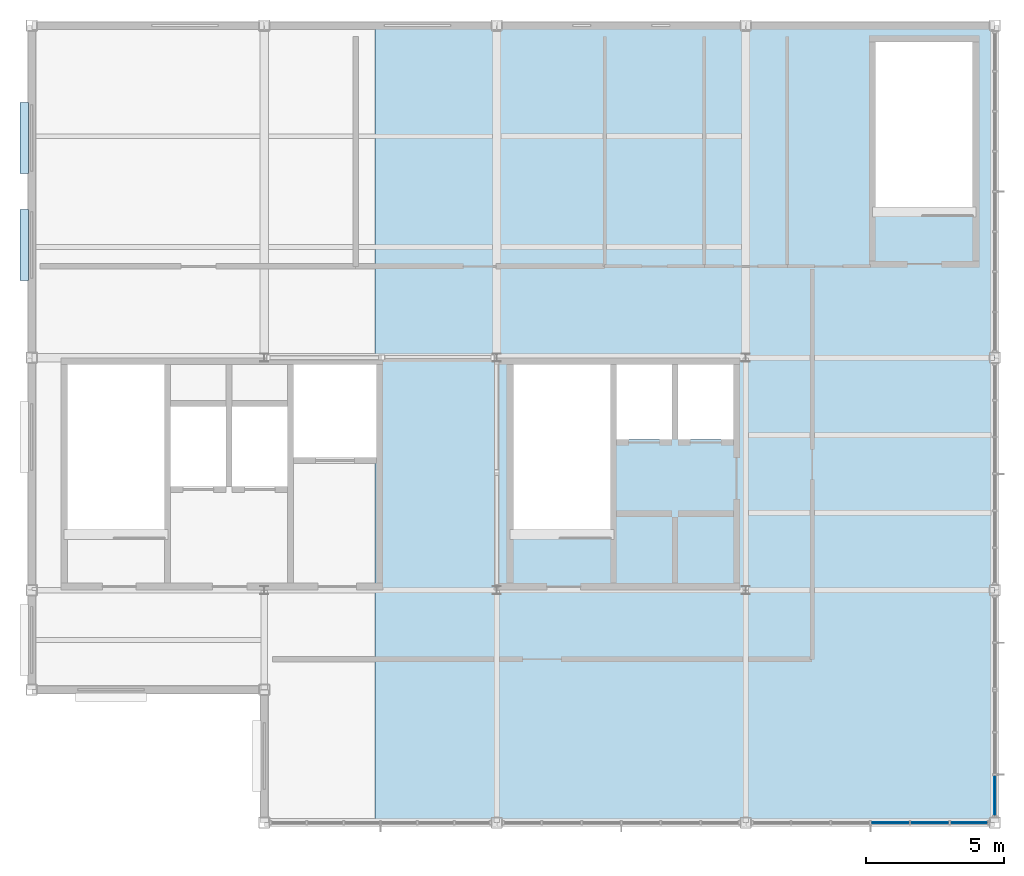
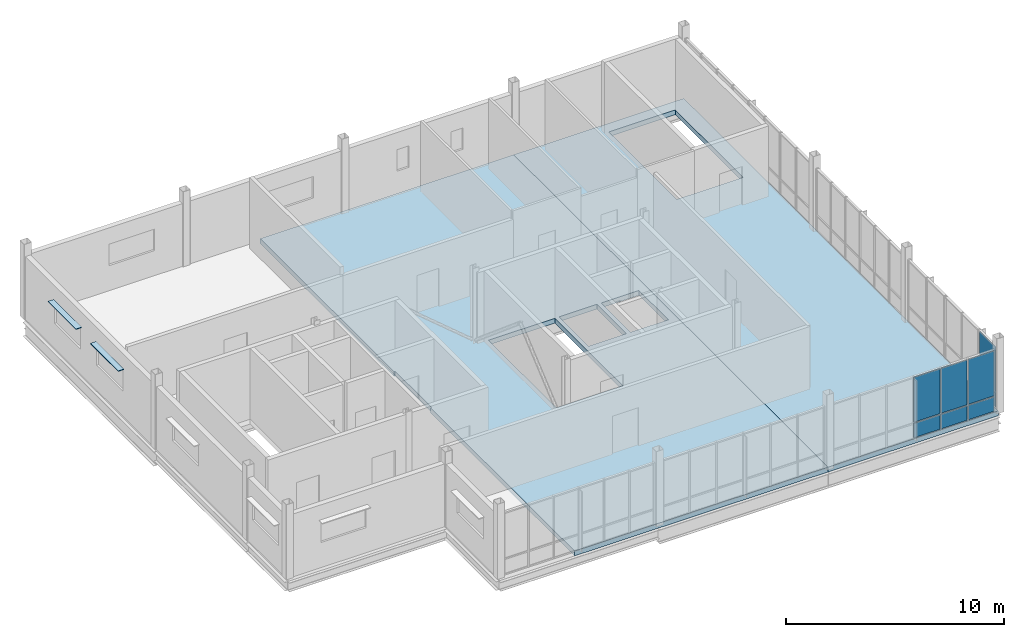
# One storey, part 10 of 15: 10 plates, 2 slabs, 2 elements without a shape of their own.
"""IFC4 building model written with IfcOpenShell, lengths in metres."""

import ifcopenshell
import ifcopenshell.guid

model = None  # the IFC model being written
_history = None  # IfcOwnerHistory: only IFC2X3 demands one
_inside = {}  # id of a spatial element -> (the spatial element, [elements in it])
_under = {}  # id of a project, library or spatial element -> (it, [spatial elements below it])
_declared = {}  # id of a project -> (the project, [libraries it declares])
_typed = {}  # id of a type object -> (the type object, [elements of that type])
_made_of = {}  # id of a material, layer set ... -> (it, [elements and type objects made of it])


def new_model(schema):
    """Start an empty IFC model of exactly this schema.

    Asked for "IFC4X3", IfcOpenShell would pick the latest addendum, in which some entities
    have other attributes; the version numbers below select the first issue.
    IFC2X3 requires an IfcOwnerHistory on every rooted entity: one is made here for all.
    """
    global model, _history
    if schema == "IFC4X3":
        model = ifcopenshell.file(schema_version=(4, 3, 0, 0))
    else:
        model = ifcopenshell.file(schema=schema)
    _inside.clear()
    _under.clear()
    _declared.clear()
    _typed.clear()
    _made_of.clear()
    _history = None
    if model.schema == "IFC2X3":
        org = make("IfcOrganization", Name="unknown")
        user = make(
            "IfcPersonAndOrganization",
            ThePerson=make("IfcPerson", FamilyName="unknown"),
            TheOrganization=org,
        )
        app = make(
            "IfcApplication",
            ApplicationDeveloper=org,
            Version="unknown",
            ApplicationFullName="unknown",
            ApplicationIdentifier="unknown",
        )
        _history = make(
            "IfcOwnerHistory",
            OwningUser=user,
            OwningApplication=app,
            ChangeAction="ADDED",
            CreationDate=0,
        )
    return model


def make(cls, **values):
    """One entity of the class cls with the attributes given. An attribute that is None is left unset."""
    return model.create_entity(
        cls, **{name: value for name, value in values.items() if value is not None}
    )


def rooted(cls, **values):
    """An entity with a GlobalId (a new one), such as an element, a storey or a relation."""
    return make(cls, GlobalId=ifcopenshell.guid.new(), OwnerHistory=_history, **values)


def si_unit(unit_type, name, prefix=None):
    """IfcSIUnit, for example si_unit("LENGTHUNIT", "METRE", prefix="MILLI")."""
    return make("IfcSIUnit", UnitType=unit_type, Prefix=prefix, Name=name)


def assignment(units):
    """IfcUnitAssignment: the units of a project."""
    return None if units is None else make("IfcUnitAssignment", Units=units)


def point(xyz):
    """IfcCartesianPoint."""
    return None if xyz is None else make("IfcCartesianPoint", Coordinates=xyz)


def direction(xyz):
    """IfcDirection."""
    return None if xyz is None else make("IfcDirection", DirectionRatios=xyz)


def frame(location, z_axis=None, x_axis=None):
    """IfcAxis2Placement3D, a coordinate frame: its origin and axes. An axis left out is left unset."""
    return make(
        "IfcAxis2Placement3D",
        Location=point(location),
        Axis=direction(z_axis),
        RefDirection=direction(x_axis),
    )


def frame_2d(location, x_axis=None):
    """IfcAxis2Placement2D, a coordinate frame in the plane: its origin and x axis."""
    return make(
        "IfcAxis2Placement2D", Location=point(location), RefDirection=direction(x_axis)
    )


def origin():
    """The frame at (0, 0, 0) with its axes left unset."""
    return frame((0.0, 0.0, 0.0))


def origin_2d():
    """The frame at (0, 0) in the plane with its x axis left unset."""
    return frame_2d((0.0, 0.0))


def place(relative_to, where):
    """IfcLocalPlacement: puts the frame where relative to a parent placement (None: the world)."""
    return make(
        "IfcLocalPlacement", PlacementRelTo=relative_to, RelativePlacement=where
    )


def context(
    kind, dimensions, precision=None, world=None, true_north=None, identifier=None
):
    """IfcGeometricRepresentationContext, for example the 3D "Model" context."""
    return make(
        "IfcGeometricRepresentationContext",
        ContextIdentifier=identifier,
        ContextType=kind,
        CoordinateSpaceDimension=dimensions,
        Precision=precision,
        WorldCoordinateSystem=world,
        TrueNorth=true_north,
    )


def subcontext(parent, identifier, kind, view, scale=None):
    """IfcGeometricRepresentationSubContext, for example "Body" below "Model"."""
    return make(
        "IfcGeometricRepresentationSubContext",
        ContextIdentifier=identifier,
        ContextType=kind,
        ParentContext=parent,
        TargetScale=scale,
        TargetView=view,
    )


def project(units=None, contexts=None):
    """IfcProject with its units and contexts."""
    return rooted(
        "IfcProject",
        Name="project",
        RepresentationContexts=contexts,
        UnitsInContext=assignment(units),
    )


def spatial(cls, under=None, at=None, **own):
    """A site, building, storey or space (cls), placed at a placement, below another one or the project."""
    s = rooted(cls, ObjectPlacement=at, **own)
    if under is not None:
        _under.setdefault(under.id(), (under, []))[1].append(s)
    return s


def polyline(points):
    """IfcPolyline through the points."""
    return make("IfcPolyline", Points=[point(p) for p in points])


def profile(cls, at=None, kind="AREA", **sizes):
    """A parametric profile (cls). Its sizes go by their IFC names, for example OverallWidth=200.0."""
    return make(cls, ProfileType=kind, Position=at, **sizes)


def rectangle(**sizes):
    """IfcRectangleProfileDef."""
    return profile("IfcRectangleProfileDef", **sizes)


def outline(outer, holes=None, kind="AREA"):
    """IfcArbitraryClosedProfileDef: a profile drawn as a closed curve; with holes, ...WithVoids."""
    if holes is None:
        return make("IfcArbitraryClosedProfileDef", ProfileType=kind, OuterCurve=outer)
    return make(
        "IfcArbitraryProfileDefWithVoids",
        ProfileType=kind,
        OuterCurve=outer,
        InnerCurves=holes,
    )


def extrude(swept, where, along, depth):
    """IfcExtrudedAreaSolid: the profile swept, set in the frame where, extruded along a direction by depth."""
    return make(
        "IfcExtrudedAreaSolid",
        SweptArea=swept,
        Position=where,
        ExtrudedDirection=direction(along),
        Depth=depth,
    )


def shape(context_of_items, identifier, shape_type, items):
    """IfcShapeRepresentation: the items that make up one representation, for example the "Body"."""
    return make(
        "IfcShapeRepresentation",
        ContextOfItems=context_of_items,
        RepresentationIdentifier=identifier,
        RepresentationType=shape_type,
        Items=items,
    )


def material(Name=None, Category=None):
    """IfcMaterial."""
    return make("IfcMaterial", Name=Name, Category=Category)


def layer(
    of_material, thickness, ventilated=None, Name=None, Category=None, Priority=None
):
    """IfcMaterialLayer: one layer of a wall or slab, of a material (None: an air gap)."""
    return make(
        "IfcMaterialLayer",
        Material=of_material,
        LayerThickness=thickness,
        IsVentilated=ventilated,
        Name=Name,
        Category=Category,
        Priority=Priority,
    )


def layer_set(layers, Name=None):
    """IfcMaterialLayerSet."""
    return make("IfcMaterialLayerSet", MaterialLayers=layers, LayerSetName=Name)


def made_of(thing, what):
    """Note that an element or type object is made of a material, layer set ...; save() writes the relation."""
    if what is not None:
        _made_of.setdefault(what.id(), (what, []))[1].append(thing)
    return thing


def type_object(cls, material=None, **own):
    """A type object (cls), such as IfcWallType, which elements share."""
    return made_of(rooted(cls, **own), material)


def element(
    cls,
    number,
    at=None,
    inside=None,
    cuts=None,
    type_object=None,
    material=None,
    context=None,
    identifier="Body",
    shape_type=None,
    held_by="IfcProductDefinitionShape",
    body=None,
    shapes=None,
    **own,
):
    """One element of the class cls, such as IfcWall. Its Tag is "e" and its number.

    at: its placement. inside: the storey or other place that contains it. cuts: it is an
    opening in that element (IfcRelVoidsElement). A single representation is given by context,
    identifier, shape_type and body (its items); several are given by shapes. held_by: the class
    of the entity that holds the representations. save() writes the other relations.
    """
    e = rooted(cls, Tag="e%d" % number, ObjectPlacement=at, **own)
    if body is not None:
        shapes = [shape(context, identifier, shape_type, body)]
    if shapes is not None:
        e.Representation = make(held_by, Representations=shapes)
    if inside is not None:
        _inside.setdefault(inside.id(), (inside, []))[1].append(e)
    if cuts is not None:
        rooted(
            "IfcRelVoidsElement", RelatingBuildingElement=cuts, RelatedOpeningElement=e
        )
    if type_object is not None:
        _typed.setdefault(type_object.id(), (type_object, []))[1].append(e)
    return made_of(e, material)


def aggregate(whole, parts):
    """IfcRelAggregates: a whole, such as a stair, and the parts it consists of."""
    return rooted("IfcRelAggregates", RelatingObject=whole, RelatedObjects=parts)


def save(model, path):
    """Write the relations noted so far, then the file.

    IfcRelAggregates (storeys below a building ...), IfcRelContainedInSpatialStructure (elements
    in a storey), IfcRelDefinesByType, IfcRelAssociatesMaterial and IfcRelDeclares: one each for
    every whole, place, type object, material and project.
    """
    for whole, parts in _under.values():
        aggregate(whole, parts)
    for where, things in _inside.values():
        rooted(
            "IfcRelContainedInSpatialStructure",
            RelatedElements=things,
            RelatingStructure=where,
        )
    for kind, things in _typed.values():
        rooted("IfcRelDefinesByType", RelatedObjects=things, RelatingType=kind)
    for what, things in _made_of.values():
        rooted("IfcRelAssociatesMaterial", RelatedObjects=things, RelatingMaterial=what)
    for by, libraries in _declared.values():
        rooted("IfcRelDeclares", RelatingContext=by, RelatedDefinitions=libraries)
    model.write(path)


model = new_model("IFC4")

# Units and contexts
model_context = context("Model", 3, precision=1e-05, world=origin(), true_north=direction((0.0, 1.0)))
body_context = subcontext(model_context, "Body", "Model", "MODEL_VIEW")
ifc_project = project(units=[si_unit("LENGTHUNIT", "METRE"), si_unit("AREAUNIT", "SQUARE_METRE"), si_unit("VOLUMEUNIT", "CUBIC_METRE"), si_unit("PLANEANGLEUNIT", "RADIAN"), si_unit("MASSUNIT", "GRAM", prefix="KILO")], contexts=[model_context])

# Site, building, storey
site_placement = place(None, origin())
site = spatial("IfcSite", under=ifc_project, at=site_placement, CompositionType="ELEMENT")
building_placement = place(site_placement, origin())
building = spatial("IfcBuilding", under=site, at=building_placement, Name="Yukiwa Park Conservatory and Herbarium", CompositionType="ELEMENT")
storey_placement = place(building_placement, frame((0.0, 0.0, 61.199951171875)))
storey = spatial("IfcBuildingStorey", under=building, at=storey_placement, Name="L16", CompositionType="ELEMENT", Elevation=61.199951171875)

# Curtain wall, plate
ifc_material_1 = material(Name="Triple Low-E Insulated Glass", Category="glass")
ifc_layer_1 = layer(ifc_material_1, 0.2119140625)
ifc_layer_set_1 = layer_set([ifc_layer_1], Name="Triple Low-E Insulated Glass")
curtain_wall_type = type_object("IfcCurtainWallType", Name="CW-TOWER-SKY-1400", PredefinedType="NOTDEFINED", material=ifc_layer_set_1)
curtain_wall_1_placement = place(storey_placement, origin())
curtain_wall_1 = element("IfcCurtainWall", 1, at=curtain_wall_1_placement, inside=storey, type_object=curtain_wall_type, Name="L16 unitised curtain wall CW-L16-148", PredefinedType="NOTDEFINED")
ifc_material_2 = material(Name="Triple Low-E Insulated Glass", Category="glass")
ifc_layer_2 = layer(ifc_material_2, 0.035888671875)
ifc_layer_set_2 = layer_set([ifc_layer_2], Name="Triple Low-E Insulated Glass")
plate_type_1 = type_object("IfcPlateType", Name="PL-CW-GLZ-36", PredefinedType="CURTAIN_PANEL", material=ifc_layer_set_2)
plate_1_placement = place(storey_placement, frame((168.0, 87.36669921875, 0.93505859375), z_axis=(0.0, 0.0, 1.0), x_axis=(0.0, 1.0, 0.0)))
plate_1 = element("IfcPlate", 2, at=plate_1_placement, type_object=plate_type_1, Name="CW-L16-148 vision panel 1.2", PredefinedType="CURTAIN_PANEL", context=body_context, shape_type="SweptSolid", body=[
    extrude(rectangle(XDim=1.46337890625, YDim=0.035888671875, at=origin_2d()), origin(), (0.0, 0.0, 1.0), 2.5048828125),
])

# Curtain wall, plates
curtain_wall_2_placement = place(storey_placement, origin())
curtain_wall_2 = element("IfcCurtainWall", 3, at=curtain_wall_2_placement, inside=storey, type_object=curtain_wall_type, Name="L16 unitised curtain wall CW-L16-154", PredefinedType="NOTDEFINED")
plate_2_placement = place(storey_placement, frame((164.216796875, 86.39990234375, 0.93505859375), z_axis=(0.0, 0.0, 1.0), x_axis=(1.0, 0.0, 0.0)))
plate_2 = element("IfcPlate", 4, at=plate_2_placement, type_object=plate_type_1, Name="CW-L16-154 vision panel 4.2", PredefinedType="CURTAIN_PANEL", context=body_context, shape_type="SweptSolid", body=[
    extrude(rectangle(XDim=1.36328125, YDim=0.035888671875, at=origin_2d()), origin(), (0.0, 0.0, 1.0), 2.5048828125),
])
plate_3_placement = place(storey_placement, frame((165.64990234375, 86.39990234375, 0.93505859375), z_axis=(0.0, 0.0, 1.0), x_axis=(1.0, 0.0, 0.0)))
plate_3 = element("IfcPlate", 5, at=plate_3_placement, type_object=plate_type_1, Name="CW-L16-154 vision panel 5.2", PredefinedType="CURTAIN_PANEL", context=body_context, shape_type="SweptSolid", body=[
    extrude(rectangle(XDim=1.36328125, YDim=0.035888671875, at=origin_2d()), origin(), (0.0, 0.0, 1.0), 2.5048828125),
])
plate_4_placement = place(storey_placement, frame((167.083251953125, 86.39990234375, 0.93505859375), z_axis=(0.0, 0.0, 1.0), x_axis=(1.0, 0.0, 0.0)))
plate_4 = element("IfcPlate", 6, at=plate_4_placement, type_object=plate_type_1, Name="CW-L16-154 vision panel 6.2", PredefinedType="CURTAIN_PANEL", context=body_context, shape_type="SweptSolid", body=[
    extrude(rectangle(XDim=1.36328125, YDim=0.035888671875, at=origin_2d()), origin(), (0.0, 0.0, 1.0), 2.5048828125),
])

# Plate
ifc_material_3 = material(Name="Anodised Aluminium", Category="aluminium")
ifc_layer_3 = layer(ifc_material_3, 0.044921875)
ifc_layer_set_3 = layer_set([ifc_layer_3], Name="Anodised Aluminium")
plate_type_2 = type_object("IfcPlateType", Name="PL-CW-SPN-45", PredefinedType="CURTAIN_PANEL", material=ifc_layer_set_3)
plate_5_placement = place(storey_placement, frame((168.0, 87.36669921875, 0.070068359375), z_axis=(0.0, 0.0, 1.0), x_axis=(0.0, 1.0, 0.0)))
plate_5 = element("IfcPlate", 7, at=plate_5_placement, type_object=plate_type_2, Name="CW-L16-148 spandrel panel 1.1", PredefinedType="CURTAIN_PANEL", context=body_context, shape_type="SweptSolid", body=[
    extrude(rectangle(XDim=1.46337890625, YDim=0.044921875, at=origin_2d()), origin(), (0.0, 0.0, 1.0), 0.794921875),
])

aggregate(curtain_wall_1, [plate_5, plate_1])

plate_6_placement = place(storey_placement, frame((164.216796875, 86.39990234375, 0.070068359375), z_axis=(0.0, 0.0, 1.0), x_axis=(1.0, 0.0, 0.0)))
plate_6 = element("IfcPlate", 8, at=plate_6_placement, type_object=plate_type_2, Name="CW-L16-154 spandrel panel 4.1", PredefinedType="CURTAIN_PANEL", context=body_context, shape_type="SweptSolid", body=[
    extrude(rectangle(XDim=1.36328125, YDim=0.044921875, at=origin_2d()), origin(), (0.0, 0.0, 1.0), 0.794921875),
])

plate_7_placement = place(storey_placement, frame((165.64990234375, 86.39990234375, 0.070068359375), z_axis=(0.0, 0.0, 1.0), x_axis=(1.0, 0.0, 0.0)))
plate_7 = element("IfcPlate", 9, at=plate_7_placement, type_object=plate_type_2, Name="CW-L16-154 spandrel panel 5.1", PredefinedType="CURTAIN_PANEL", context=body_context, shape_type="SweptSolid", body=[
    extrude(rectangle(XDim=1.36328125, YDim=0.044921875, at=origin_2d()), origin(), (0.0, 0.0, 1.0), 0.794921875),
])

plate_8_placement = place(storey_placement, frame((167.083251953125, 86.39990234375, 0.070068359375), z_axis=(0.0, 0.0, 1.0), x_axis=(1.0, 0.0, 0.0)))
plate_8 = element("IfcPlate", 10, at=plate_8_placement, type_object=plate_type_2, Name="CW-L16-154 spandrel panel 6.1", PredefinedType="CURTAIN_PANEL", context=body_context, shape_type="SweptSolid", body=[
    extrude(rectangle(XDim=1.36328125, YDim=0.044921875, at=origin_2d()), origin(), (0.0, 0.0, 1.0), 0.794921875),
])

aggregate(curtain_wall_2, [plate_6, plate_2, plate_7, plate_3, plate_8, plate_4])

# Plates
ifc_material_4 = material(Name="Anodised Aluminium", Category="aluminium")
ifc_layer_4 = layer(ifc_material_4, 0.0400390625)
ifc_layer_set_4 = layer_set([ifc_layer_4], Name="Anodised Aluminium")
plate_type_3 = type_object("IfcPlateType", Name="PL-SHADE-ALU-40", PredefinedType="SHEET", material=ifc_layer_set_4)
for number, where, z_axis, x_axis, name in (
    (11, (132.925048828125, 111.133056640625, 2.64013671875), (0.0, 0.0, 1.0), (0.0, -1.0, 0.0), "L16 snow-shedding window hood 186"),
    (12, (132.925048828125, 107.26708984375, 2.64013671875), (0.0, 0.0, 1.0), (0.0, -1.0, 0.0), "L16 snow-shedding window hood 187"),
):
    element("IfcPlate", number, at=place(storey_placement, frame(where, z_axis=z_axis, x_axis=x_axis)), inside=storey, type_object=plate_type_3, Name=name, PredefinedType="SHEET", context=body_context, shape_type="SweptSolid", body=[
        extrude(rectangle(XDim=2.56005859375, YDim=0.300048828125, at=origin_2d()), origin(), (0.0, 0.0, 1.0), 0.0400390625),
    ])

# Slabs
ifc_material_5 = material(Name="Concrete C40", Category="concrete")
ifc_layer_5 = layer(ifc_material_5, 0.27001953125)
ifc_layer_set_5 = layer_set([ifc_layer_5], Name="Concrete C40")
slab_type = type_object("IfcSlabType", Name="SL-FLR-270", PredefinedType="FLOOR", material=ifc_layer_set_5)
slab_1_placement = place(storey_placement, frame((0.0, 0.0, -0.27001953125)))
element("IfcSlab", 13, at=slab_1_placement, inside=storey, type_object=slab_type, Name="L16 composite structural floor slab V5C", PredefinedType="FLOOR", context=body_context, shape_type="SweptSolid", body=[
    extrude(outline(polyline([(145.60009765625, 99.60009765625), (145.659912109375, 99.60009765625), (145.659912109375, 102.949951171875), (145.60009765625, 102.949951171875), (145.60009765625, 115.199951171875), (159.0, 115.199951171875), (159.0, 86.39990234375), (145.60009765625, 86.39990234375), (145.60009765625, 99.60009765625)]), holes=[polyline([(150.60009765625, 102.949951171875), (150.60009765625, 96.72998046875), (154.110107421875, 96.72998046875), (154.110107421875, 102.949951171875), (150.60009765625, 102.949951171875)]), polyline([(154.330078125, 102.949951171875), (154.330078125, 100.25), (156.330078125, 100.25), (156.330078125, 102.949951171875), (154.330078125, 102.949951171875)]), polyline([(156.550048828125, 102.949951171875), (156.550048828125, 100.25), (158.550048828125, 100.25), (158.550048828125, 102.949951171875), (156.550048828125, 102.949951171875)])]), origin(), (0.0, 0.0, 1.0), 0.27001953125),
])
slab_2_placement = place(storey_placement, frame((0.0, 0.0, -0.27001953125)))
element("IfcSlab", 14, at=slab_2_placement, inside=storey, type_object=slab_type, Name="L16 composite structural floor slab V5E", PredefinedType="FLOOR", context=body_context, shape_type="SweptSolid", body=[
    extrude(outline(polyline([(168.0, 86.39990234375), (159.0, 86.39990234375), (159.0, 115.199951171875), (168.0, 115.199951171875), (168.0, 86.39990234375)]), holes=[polyline([(163.68994140625, 114.60009765625), (163.68994140625, 108.3798828125), (167.199951171875, 108.3798828125), (167.199951171875, 114.60009765625), (163.68994140625, 114.60009765625)])]), origin(), (0.0, 0.0, 1.0), 0.27001953125),
])

save(model, "model.ifc")
